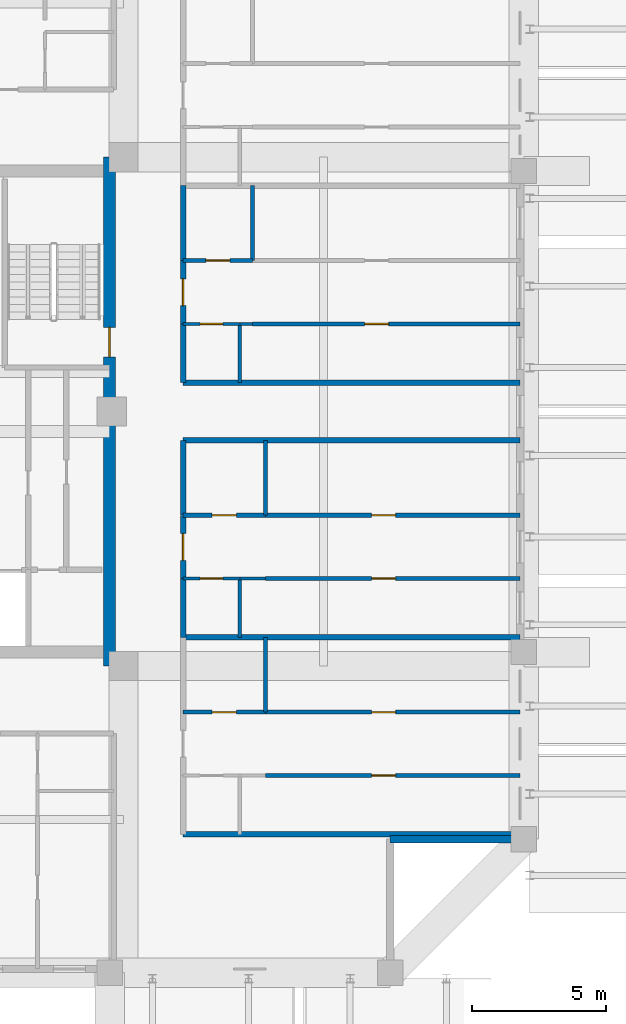
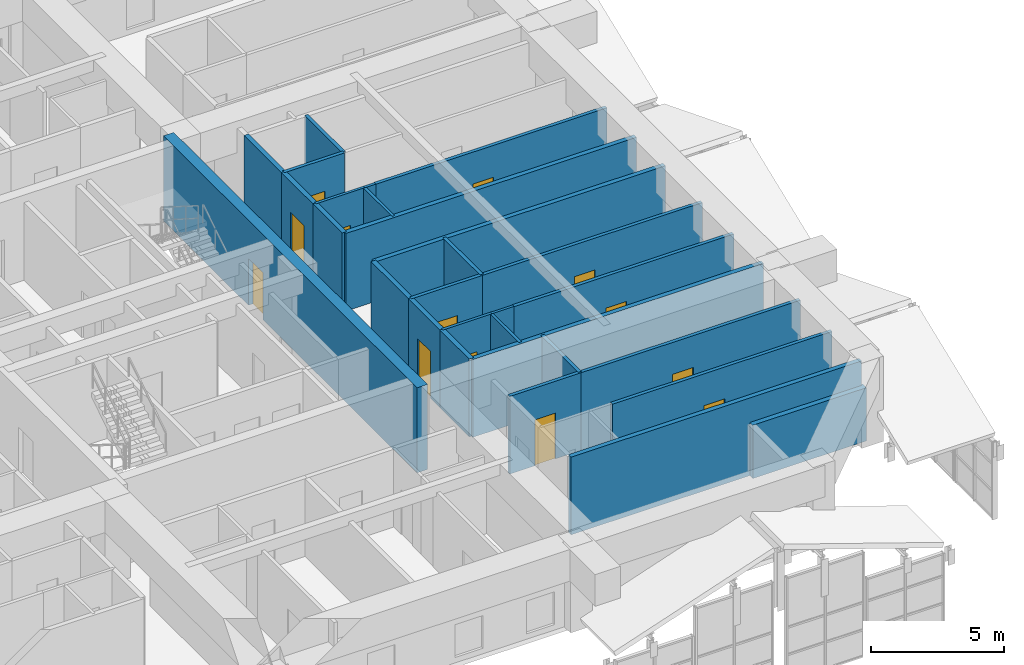
# One storey, part 40 of 45: 29 walls, 13 doors, 13 openings.
"""IFC4 building model written with IfcOpenShell, lengths in metres."""

from ifc_helpers import new_model, si_unit, direction, frame, frame_2d, origin, place, context, subcontext, project, spatial, rectangle, extrude, source, transform, mapped, material, layer, layer_set, type_object, element, fill, save


model = new_model("IFC4")

# Units and contexts
model_context = context("Model", 3, precision=1e-05, world=origin(), true_north=direction((0.0, 1.0)))
body_context = subcontext(model_context, "Body", "Model", "MODEL_VIEW")
ifc_project = project(units=[si_unit("LENGTHUNIT", "METRE"), si_unit("AREAUNIT", "SQUARE_METRE"), si_unit("VOLUMEUNIT", "CUBIC_METRE"), si_unit("PLANEANGLEUNIT", "RADIAN"), si_unit("MASSUNIT", "GRAM", prefix="KILO")], contexts=[model_context])

# Site, building, storey
site_placement = place(None, origin())
site = spatial("IfcSite", under=ifc_project, at=site_placement, CompositionType="ELEMENT")
building_placement = place(site_placement, origin())
building = spatial("IfcBuilding", under=site, at=building_placement, Name="Saelheon Loggia Tower", CompositionType="ELEMENT")
storey_placement = place(building_placement, frame((0.0, 0.0, 152.199951171875)))
storey = spatial("IfcBuildingStorey", under=building, at=storey_placement, Name="L48", CompositionType="ELEMENT", Elevation=152.199951171875)

# Wall, opening, door
ifc_material_1 = material(Name="Concrete C45/55", Category="concrete")
ifc_layer_1 = layer(ifc_material_1, 0.449951171875)
ifc_layer_set_1 = layer_set([ifc_layer_1], Name="Concrete C45/55")
wall_type_1 = type_object("IfcWallType", Name="Wall_CoreShear_450", PredefinedType="SHEAR", material=ifc_layer_set_1)
wall_1_placement = place(storey_placement, frame((44.5, 17.47998046875, 0.0), z_axis=(0.0, 0.0, 1.0), x_axis=(0.0, 1.0, 0.0)))
wall_1 = element("IfcWall", 1, at=wall_1_placement, inside=storey, type_object=wall_type_1, Name="L48 Core Shear Wall East", PredefinedType="SHEAR", context=body_context, shape_type="SweptSolid", body=[
    extrude(rectangle(XDim=19.0400390625, YDim=0.449951171875, at=frame_2d((9.52001953125, 0.0))), origin(), (0.0, 0.0, 1.0), 3.900146484375),
])
opening_1_placement = place(wall_1_placement, frame((12.670166015625, 0.0, 0.0), z_axis=(0.0, 0.0, 1.0), x_axis=(-1.0, 0.0, 0.0)))
opening_1 = element("IfcOpeningElement", 2, at=opening_1_placement, cuts=wall_1, Name="Opening D-FD2", PredefinedType="OPENING", context=body_context, shape_type="SweptSolid", body=[
    extrude(rectangle(XDim=1.10009765625, YDim=2.14990234375, at=frame_2d((0.550048828125, 1.074951171875))), frame((0.0, 0.237060546875, 0.0), z_axis=(0.0, -1.0, 0.0), x_axis=(1.0, 0.0, 0.0)), (0.0, 0.0, 1.0), 0.473876953125),
])
ifc_material_2 = material(Name="Galvanised Steel Fire Door", Category="steel")
door_type_1 = type_object("IfcDoorType", Name="Door_Fire_FD60_1100", OperationType="NOTDEFINED", PredefinedType="DOOR", material=ifc_material_2)
shared_shape_1 = source(origin(), body_context, "Body", "SweptSolid", [
    extrude(rectangle(XDim=1.10009765625, YDim=2.14990234375, at=frame_2d((0.550048828125, 1.074951171875))), frame((0.0, 0.02490234375, 0.0), z_axis=(0.0, -1.0, 0.0), x_axis=(1.0, 0.0, 0.0)), (0.0, 0.0, 1.0), 0.050048828125),
])
door_1_placement = place(opening_1_placement, origin())
door_1 = element("IfcDoor", 3, at=door_1_placement, inside=storey, type_object=door_type_1, Name="L48 Stair ST2 Corridor Door", OperationType="SINGLE_SWING_RIGHT", OverallHeight=2.14990234375, OverallWidth=1.10009765625, PredefinedType="DOOR", context=body_context, shape_type="MappedRepresentation", body=[
    mapped(shared_shape_1, transform((0.0, 0.0, 0.0), scale=1.0)),
])
fill(opening_1, door_1)

# Walls
ifc_material_3 = material(Name="Architectural Precast Concrete C40/50", Category="concrete")
ifc_layer_2 = layer(ifc_material_3, 0.280029296875)
ifc_layer_set_2 = layer_set([ifc_layer_2], Name="Architectural Precast Concrete C40/50")
wall_type_2 = type_object("IfcWallType", Name="Wall_Ext_Loggia_280", PredefinedType="SOLIDWALL", material=ifc_layer_set_2)
wall_2_placement = place(storey_placement, frame((55.0, 11.0, 0.0), z_axis=(0.0, 0.0, 1.0), x_axis=(1.0, 0.0, 0.0)))
element("IfcWall", 4, at=wall_2_placement, inside=storey, type_object=wall_type_2, Name="L48 Corner Notch Precast Wall SE2", PredefinedType="SOLIDWALL", context=body_context, shape_type="SweptSolid", body=[
    extrude(rectangle(XDim=4.919921875, YDim=0.280029296875, at=frame_2d((2.4599609375, 0.0))), origin(), (0.0, 0.0, 1.0), 2.43994140625),
])
ifc_material_4 = material(Name="Lightweight Autoclaved Aerated Concrete Block and Acoustic Gypsum", Category="concrete")
ifc_layer_3 = layer(ifc_material_4, 0.14990234375)
ifc_layer_set_3 = layer_set([ifc_layer_3], Name="Lightweight Autoclaved Aerated Concrete Block and Acoustic Gypsum")
wall_type_3 = type_object("IfcWallType", Name="Wall_Part_150", PredefinedType="PARTITIONING", material=ifc_layer_set_3)
wall_3_placement = place(storey_placement, frame((50.330078125, 15.74951171875, 0.0), z_axis=(0.0, 0.0, 1.0), x_axis=(0.0, 1.0, 0.0)))
element("IfcWall", 5, at=wall_3_placement, inside=storey, type_object=wall_type_3, Name="L48 ES Partition V07", PredefinedType="PARTITIONING", context=body_context, shape_type="SweptSolid", body=[
    extrude(rectangle(XDim=2.800537109375, YDim=0.14990234375, at=frame_2d((1.400390625, 0.0))), origin(), (0.0, 0.0, 1.0), 3.56005859375),
])

# Wall, opening, door
wall_4_placement = place(storey_placement, frame((50.330078125, 13.3798828125, 0.0), z_axis=(0.0, 0.0, 1.0), x_axis=(1.0, 0.0, 0.0)))
wall_4 = element("IfcWall", 6, at=wall_4_placement, inside=storey, type_object=wall_type_3, Name="L48 ES Partition U10", PredefinedType="PARTITIONING", context=body_context, shape_type="SweptSolid", body=[
    extrude(rectangle(XDim=9.52001953125, YDim=0.14990234375, at=frame_2d((4.760009765625, 0.0))), origin(), (0.0, 0.0, 1.0), 3.56005859375),
])
opening_2_placement = place(wall_4_placement, frame((3.970703125, 0.0, 0.0)))
opening_2 = element("IfcOpeningElement", 7, at=opening_2_placement, cuts=wall_4, Name="Opening D-IN2", PredefinedType="OPENING", context=body_context, shape_type="SweptSolid", body=[
    extrude(rectangle(XDim=0.89990234375, YDim=2.10009765625, at=frame_2d((0.449951171875, 1.050048828125))), frame((0.0, 0.0869140625, 0.0), z_axis=(0.0, -1.0, 0.0), x_axis=(1.0, 0.0, 0.0)), (0.0, 0.0, 1.0), 0.173828125),
])
ifc_material_5 = material(Name="Engineered Oak Flush Door", Category="timber")
door_type_2 = type_object("IfcDoorType", Name="Door_Int_900", OperationType="NOTDEFINED", PredefinedType="DOOR", material=ifc_material_5)
shared_shape_2 = source(origin(), body_context, "Body", "SweptSolid", [
    extrude(rectangle(XDim=0.89990234375, YDim=2.10009765625, at=frame_2d((0.449951171875, 1.050048828125))), frame((0.0, 0.02490234375, 0.0), z_axis=(0.0, -1.0, 0.0), x_axis=(1.0, 0.0, 0.0)), (0.0, 0.0, 1.0), 0.050048828125),
])
door_2_placement = place(opening_2_placement, origin())
door_2 = element("IfcDoor", 8, at=door_2_placement, inside=storey, type_object=door_type_2, Name="Unit U09 Kitchen Door", OperationType="SINGLE_SWING_RIGHT", OverallHeight=2.10009765625, OverallWidth=0.89990234375, PredefinedType="DOOR", context=body_context, shape_type="MappedRepresentation", body=[
    mapped(shared_shape_2, transform((0.0, 0.0, 0.0), scale=1.0)),
])
fill(opening_2, door_2)

wall_5_placement = place(storey_placement, frame((47.25, 15.74951171875, 0.0), z_axis=(0.0, 0.0, 1.0), x_axis=(1.0, 0.0, 0.0)))
wall_5 = element("IfcWall", 9, at=wall_5_placement, inside=storey, type_object=wall_type_3, Name="L48 ES Partition U11", PredefinedType="PARTITIONING", context=body_context, shape_type="SweptSolid", body=[
    extrude(rectangle(XDim=3.080078125, YDim=0.14990234375, at=frame_2d((1.5400390625, 0.0))), origin(), (0.0, 0.0, 1.0), 3.56005859375),
])
opening_3_placement = place(wall_5_placement, frame((1.090087890625, 0.0, 0.0)))
opening_3 = element("IfcOpeningElement", 10, at=opening_3_placement, cuts=wall_5, Name="Opening D-IN2", PredefinedType="OPENING", context=body_context, shape_type="SweptSolid", body=[
    extrude(rectangle(XDim=0.89990234375, YDim=2.10009765625, at=frame_2d((0.449951171875, 1.050048828125))), frame((0.0, 0.0869140625, 0.0), z_axis=(0.0, -1.0, 0.0), x_axis=(1.0, 0.0, 0.0)), (0.0, 0.0, 1.0), 0.173828125),
])
door_3_placement = place(opening_3_placement, origin())
door_3 = element("IfcDoor", 11, at=door_3_placement, inside=storey, type_object=door_type_2, Name="Unit U09 Dressing Closet Door", OperationType="SINGLE_SWING_LEFT", OverallHeight=2.10009765625, OverallWidth=0.89990234375, PredefinedType="DOOR", context=body_context, shape_type="MappedRepresentation", body=[
    mapped(shared_shape_2, transform((0.0, 0.0, 0.0), scale=1.0)),
])
fill(opening_3, door_3)

wall_6_placement = place(storey_placement, frame((50.330078125, 15.74951171875, 0.0), z_axis=(0.0, 0.0, 1.0), x_axis=(1.0, 0.0, 0.0)))
wall_6 = element("IfcWall", 12, at=wall_6_placement, inside=storey, type_object=wall_type_3, Name="L48 ES Partition U12", PredefinedType="PARTITIONING", context=body_context, shape_type="SweptSolid", body=[
    extrude(rectangle(XDim=9.52001953125, YDim=0.14990234375, at=frame_2d((4.760009765625, 0.0))), origin(), (0.0, 0.0, 1.0), 3.56005859375),
])
opening_4_placement = place(wall_6_placement, frame((3.970703125, 0.0, 0.0)))
opening_4 = element("IfcOpeningElement", 13, at=opening_4_placement, cuts=wall_6, Name="Opening D-IN2", PredefinedType="OPENING", context=body_context, shape_type="SweptSolid", body=[
    extrude(rectangle(XDim=0.89990234375, YDim=2.10009765625, at=frame_2d((0.449951171875, 1.050048828125))), frame((0.0, 0.0869140625, 0.0), z_axis=(0.0, -1.0, 0.0), x_axis=(1.0, 0.0, 0.0)), (0.0, 0.0, 1.0), 0.173828125),
])
door_4_placement = place(opening_4_placement, origin())
door_4 = element("IfcDoor", 14, at=door_4_placement, inside=storey, type_object=door_type_2, Name="Unit U09 Bedroom 1 Door", OperationType="SINGLE_SWING_RIGHT", OverallHeight=2.10009765625, OverallWidth=0.89990234375, PredefinedType="DOOR", context=body_context, shape_type="MappedRepresentation", body=[
    mapped(shared_shape_2, transform((0.0, 0.0, 0.0), scale=1.0)),
])
fill(opening_4, door_4)

# Wall
wall_7_placement = place(storey_placement, frame((50.330078125, 23.119384765625, 0.0), z_axis=(0.0, 0.0, 1.0), x_axis=(0.0, 1.0, 0.0)))
element("IfcWall", 15, at=wall_7_placement, inside=storey, type_object=wall_type_3, Name="L48 ES Partition V18", PredefinedType="PARTITIONING", context=body_context, shape_type="SweptSolid", body=[
    extrude(rectangle(XDim=2.800537109375, YDim=0.14990234375, at=frame_2d((1.400390625, 0.0))), origin(), (0.0, 0.0, 1.0), 3.56005859375),
])

# Wall, opening, door
wall_8_placement = place(storey_placement, frame((50.330078125, 20.75, 0.0), z_axis=(0.0, 0.0, 1.0), x_axis=(1.0, 0.0, 0.0)))
wall_8 = element("IfcWall", 16, at=wall_8_placement, inside=storey, type_object=wall_type_3, Name="L48 ES Partition U21", PredefinedType="PARTITIONING", context=body_context, shape_type="SweptSolid", body=[
    extrude(rectangle(XDim=9.52001953125, YDim=0.14990234375, at=frame_2d((4.760009765625, 0.0))), origin(), (0.0, 0.0, 1.0), 3.56005859375),
])
opening_5_placement = place(wall_8_placement, frame((3.970703125, 0.0, 0.0)))
opening_5 = element("IfcOpeningElement", 17, at=opening_5_placement, cuts=wall_8, Name="Opening D-IN2", PredefinedType="OPENING", context=body_context, shape_type="SweptSolid", body=[
    extrude(rectangle(XDim=0.89990234375, YDim=2.10009765625, at=frame_2d((0.449951171875, 1.050048828125))), frame((0.0, 0.0869140625, 0.0), z_axis=(0.0, -1.0, 0.0), x_axis=(1.0, 0.0, 0.0)), (0.0, 0.0, 1.0), 0.173828125),
])
door_5_placement = place(opening_5_placement, origin())
door_5 = element("IfcDoor", 18, at=door_5_placement, inside=storey, type_object=door_type_2, Name="Unit U10 Kitchen Door", OperationType="SINGLE_SWING_LEFT", OverallHeight=2.10009765625, OverallWidth=0.89990234375, PredefinedType="DOOR", context=body_context, shape_type="MappedRepresentation", body=[
    mapped(shared_shape_2, transform((0.0, 0.0, 0.0), scale=1.0)),
])
fill(opening_5, door_5)

wall_9_placement = place(storey_placement, frame((47.25, 23.119384765625, 0.0), z_axis=(0.0, 0.0, 1.0), x_axis=(1.0, 0.0, 0.0)))
wall_9 = element("IfcWall", 19, at=wall_9_placement, inside=storey, type_object=wall_type_3, Name="L48 ES Partition U22", PredefinedType="PARTITIONING", context=body_context, shape_type="SweptSolid", body=[
    extrude(rectangle(XDim=3.080078125, YDim=0.14990234375, at=frame_2d((1.5400390625, 0.0))), origin(), (0.0, 0.0, 1.0), 3.56005859375),
])
opening_6_placement = place(wall_9_placement, frame((1.090087890625, 0.0, 0.0)))
opening_6 = element("IfcOpeningElement", 20, at=opening_6_placement, cuts=wall_9, Name="Opening D-IN2", PredefinedType="OPENING", context=body_context, shape_type="SweptSolid", body=[
    extrude(rectangle(XDim=0.89990234375, YDim=2.10009765625, at=frame_2d((0.449951171875, 1.050048828125))), frame((0.0, 0.0869140625, 0.0), z_axis=(0.0, -1.0, 0.0), x_axis=(1.0, 0.0, 0.0)), (0.0, 0.0, 1.0), 0.173828125),
])
door_6_placement = place(opening_6_placement, origin())
door_6 = element("IfcDoor", 21, at=door_6_placement, inside=storey, type_object=door_type_2, Name="Unit U10 Dressing Closet Door", OperationType="SINGLE_SWING_RIGHT", OverallHeight=2.10009765625, OverallWidth=0.89990234375, PredefinedType="DOOR", context=body_context, shape_type="MappedRepresentation", body=[
    mapped(shared_shape_2, transform((0.0, 0.0, 0.0), scale=1.0)),
])
fill(opening_6, door_6)

wall_10_placement = place(storey_placement, frame((50.330078125, 23.119384765625, 0.0), z_axis=(0.0, 0.0, 1.0), x_axis=(1.0, 0.0, 0.0)))
wall_10 = element("IfcWall", 22, at=wall_10_placement, inside=storey, type_object=wall_type_3, Name="L48 ES Partition U23", PredefinedType="PARTITIONING", context=body_context, shape_type="SweptSolid", body=[
    extrude(rectangle(XDim=9.52001953125, YDim=0.14990234375, at=frame_2d((4.760009765625, 0.0))), origin(), (0.0, 0.0, 1.0), 3.56005859375),
])
opening_7_placement = place(wall_10_placement, frame((3.970703125, 0.0, 0.0)))
opening_7 = element("IfcOpeningElement", 23, at=opening_7_placement, cuts=wall_10, Name="Opening D-IN2", PredefinedType="OPENING", context=body_context, shape_type="SweptSolid", body=[
    extrude(rectangle(XDim=0.89990234375, YDim=2.10009765625, at=frame_2d((0.449951171875, 1.050048828125))), frame((0.0, 0.0869140625, 0.0), z_axis=(0.0, -1.0, 0.0), x_axis=(1.0, 0.0, 0.0)), (0.0, 0.0, 1.0), 0.173828125),
])
door_7_placement = place(opening_7_placement, origin())
door_7 = element("IfcDoor", 24, at=door_7_placement, inside=storey, type_object=door_type_2, Name="Unit U10 Bedroom 1 Door", OperationType="SINGLE_SWING_LEFT", OverallHeight=2.10009765625, OverallWidth=0.89990234375, PredefinedType="DOOR", context=body_context, shape_type="MappedRepresentation", body=[
    mapped(shared_shape_2, transform((0.0, 0.0, 0.0), scale=1.0)),
])
fill(opening_7, door_7)

# Wall
wall_11_placement = place(storey_placement, frame((49.85009765625, 32.6494140625, 0.0), z_axis=(0.0, 0.0, 1.0), x_axis=(0.0, 1.0, 0.0)))
element("IfcWall", 25, at=wall_11_placement, inside=storey, type_object=wall_type_3, Name="L48 EN Partition V07", PredefinedType="PARTITIONING", context=body_context, shape_type="SweptSolid", body=[
    extrude(rectangle(XDim=2.800537109375, YDim=0.14990234375, at=frame_2d((1.400390625, 0.0))), origin(), (0.0, 0.0, 1.0), 3.56005859375),
])

# Wall, opening, door
wall_12_placement = place(storey_placement, frame((49.85009765625, 30.280029296875, 0.0), z_axis=(0.0, 0.0, 1.0), x_axis=(1.0, 0.0, 0.0)))
wall_12 = element("IfcWall", 26, at=wall_12_placement, inside=storey, type_object=wall_type_3, Name="L48 EN Partition U10", PredefinedType="PARTITIONING", context=body_context, shape_type="SweptSolid", body=[
    extrude(rectangle(XDim=10.0, YDim=0.14990234375, at=frame_2d((5.0, 0.0))), origin(), (0.0, 0.0, 1.0), 3.56005859375),
])
opening_8_placement = place(wall_12_placement, frame((4.19091796875, 0.0, 0.0)))
opening_8 = element("IfcOpeningElement", 27, at=opening_8_placement, cuts=wall_12, Name="Opening D-IN2", PredefinedType="OPENING", context=body_context, shape_type="SweptSolid", body=[
    extrude(rectangle(XDim=0.89990234375, YDim=2.10009765625, at=frame_2d((0.449951171875, 1.050048828125))), frame((0.0, 0.0869140625, 0.0), z_axis=(0.0, -1.0, 0.0), x_axis=(1.0, 0.0, 0.0)), (0.0, 0.0, 1.0), 0.173828125),
])
door_8_placement = place(opening_8_placement, origin())
door_8 = element("IfcDoor", 28, at=door_8_placement, inside=storey, type_object=door_type_2, Name="Unit U11 Kitchen Door", OperationType="SINGLE_SWING_RIGHT", OverallHeight=2.10009765625, OverallWidth=0.89990234375, PredefinedType="DOOR", context=body_context, shape_type="MappedRepresentation", body=[
    mapped(shared_shape_2, transform((0.0, 0.0, 0.0), scale=1.0)),
])
fill(opening_8, door_8)

wall_13_placement = place(storey_placement, frame((47.25, 32.6494140625, 0.0), z_axis=(0.0, 0.0, 1.0), x_axis=(1.0, 0.0, 0.0)))
wall_13 = element("IfcWall", 29, at=wall_13_placement, inside=storey, type_object=wall_type_3, Name="L48 EN Partition U11", PredefinedType="PARTITIONING", context=body_context, shape_type="SweptSolid", body=[
    extrude(rectangle(XDim=2.60009765625, YDim=0.14990234375, at=frame_2d((1.300048828125, 0.0))), origin(), (0.0, 0.0, 1.0), 3.56005859375),
])
opening_9_placement = place(wall_13_placement, frame((0.85009765625, 0.0, 0.0)))
opening_9 = element("IfcOpeningElement", 30, at=opening_9_placement, cuts=wall_13, Name="Opening D-IN2", PredefinedType="OPENING", context=body_context, shape_type="SweptSolid", body=[
    extrude(rectangle(XDim=0.89990234375, YDim=2.10009765625, at=frame_2d((0.449951171875, 1.050048828125))), frame((0.0, 0.0869140625, 0.0), z_axis=(0.0, -1.0, 0.0), x_axis=(1.0, 0.0, 0.0)), (0.0, 0.0, 1.0), 0.173828125),
])
door_9_placement = place(opening_9_placement, origin())
door_9 = element("IfcDoor", 31, at=door_9_placement, inside=storey, type_object=door_type_2, Name="Unit U11 Dressing Closet Door", OperationType="SINGLE_SWING_LEFT", OverallHeight=2.10009765625, OverallWidth=0.89990234375, PredefinedType="DOOR", context=body_context, shape_type="MappedRepresentation", body=[
    mapped(shared_shape_2, transform((0.0, 0.0, 0.0), scale=1.0)),
])
fill(opening_9, door_9)

# Walls
ifc_material_6 = material(Name="Double Acoustic Stud and Fireboard Partition", Category="gypsum")
ifc_layer_4 = layer(ifc_material_6, 0.199951171875)
ifc_layer_set_4 = layer_set([ifc_layer_4], Name="Double Acoustic Stud and Fireboard Partition")
wall_type_4 = type_object("IfcWallType", Name="Wall_Party_200", PredefinedType="PARTITIONING", material=ifc_layer_set_4)
for number, where, z_axis, x_axis, name in (
    (32, (47.25, 11.179931640625, 0.0), (0.0, 0.0, 1.0), (1.0, 0.0, 0.0), "L48 ES Partition U01"),
    (33, (47.25, 25.919921875, 0.0), (0.0, 0.0, 1.0), (1.0, 0.0, 0.0), "L48 ES Partition U02"),
    (34, (47.25, 18.550048828125, 0.0), (0.0, 0.0, 1.0), (1.0, 0.0, 0.0), "L48 ES Partition U13"),
):
    element("IfcWall", number, at=place(storey_placement, frame(where, z_axis=z_axis, x_axis=x_axis)), inside=storey, type_object=wall_type_4, Name=name, PredefinedType="PARTITIONING", context=body_context, shape_type="SweptSolid", body=[
        extrude(rectangle(XDim=12.60009765625, YDim=0.199951171875, at=frame_2d((6.300048828125, 0.0))), origin(), (0.0, 0.0, 1.0), 3.56005859375),
    ])
wall_14_placement = place(storey_placement, frame((47.25, 18.550048828125, 0.0), z_axis=(0.0, 0.0, 1.0), x_axis=(0.0, 1.0, 0.0)))
element("IfcWall", 35, at=wall_14_placement, inside=storey, type_object=wall_type_4, Name="L48 ES Partition V14", PredefinedType="PARTITIONING", context=body_context, shape_type="SweptSolid", body=[
    extrude(rectangle(XDim=2.199951171875, YDim=0.199951171875, at=frame_2d((1.10009765625, 0.0))), origin(), (0.0, 0.0, 1.0), 3.56005859375),
])

# Wall, opening, door
wall_15_placement = place(storey_placement, frame((47.25, 20.75, 0.0), z_axis=(0.0, 0.0, 1.0), x_axis=(0.0, 1.0, 0.0)))
wall_15 = element("IfcWall", 36, at=wall_15_placement, inside=storey, type_object=wall_type_4, Name="L48 ES Partition V15", PredefinedType="PARTITIONING", context=body_context, shape_type="SweptSolid", body=[
    extrude(rectangle(XDim=2.369384765625, YDim=0.199951171875, at=frame_2d((1.1845703125, 0.0))), origin(), (0.0, 0.0, 1.0), 3.56005859375),
])
opening_10_placement = place(wall_15_placement, frame((0.684814453125, 0.0, 0.0)))
opening_10 = element("IfcOpeningElement", 37, at=opening_10_placement, cuts=wall_15, Name="Opening D-FD1", PredefinedType="OPENING", context=body_context, shape_type="SweptSolid", body=[
    extrude(rectangle(XDim=1.0, YDim=2.14990234375, at=frame_2d((0.5, 1.074951171875))), frame((0.0, 0.112060546875, 0.0), z_axis=(0.0, -1.0, 0.0), x_axis=(1.0, 0.0, 0.0)), (0.0, 0.0, 1.0), 0.223876953125),
])
ifc_material_7 = material(Name="Fire-Rated Engineered Timber Entrance Door", Category="wood")
door_type_3 = type_object("IfcDoorType", Name="Door_Flat_FD30S", OperationType="NOTDEFINED", PredefinedType="DOOR", material=ifc_material_7)
shared_shape_3 = source(origin(), body_context, "Body", "SweptSolid", [
    extrude(rectangle(XDim=1.0, YDim=2.14990234375, at=frame_2d((0.5, 1.074951171875))), frame((0.0, 0.02490234375, 0.0), z_axis=(0.0, -1.0, 0.0), x_axis=(1.0, 0.0, 0.0)), (0.0, 0.0, 1.0), 0.050048828125),
])
door_10_placement = place(opening_10_placement, origin())
door_10 = element("IfcDoor", 38, at=door_10_placement, inside=storey, type_object=door_type_3, Name="Unit U10 Entrance Door", OperationType="SINGLE_SWING_LEFT", OverallHeight=2.14990234375, OverallWidth=1.0, PredefinedType="DOOR", context=body_context, shape_type="MappedRepresentation", body=[
    mapped(shared_shape_3, transform((0.0, 0.0, 0.0), scale=1.0)),
])
fill(opening_10, door_10)

# Walls
wall_16_placement = place(storey_placement, frame((47.25, 23.119384765625, 0.0), z_axis=(0.0, 0.0, 1.0), x_axis=(0.0, 1.0, 0.0)))
element("IfcWall", 39, at=wall_16_placement, inside=storey, type_object=wall_type_4, Name="L48 ES Partition V16", PredefinedType="PARTITIONING", context=body_context, shape_type="SweptSolid", body=[
    extrude(rectangle(XDim=2.800537109375, YDim=0.199951171875, at=frame_2d((1.400390625, 0.0))), origin(), (0.0, 0.0, 1.0), 3.56005859375),
])
wall_17_placement = place(storey_placement, frame((47.25, 28.080078125, 0.0), z_axis=(0.0, 0.0, 1.0), x_axis=(1.0, 0.0, 0.0)))
element("IfcWall", 40, at=wall_17_placement, inside=storey, type_object=wall_type_4, Name="L48 EN Partition U01", PredefinedType="PARTITIONING", context=body_context, shape_type="SweptSolid", body=[
    extrude(rectangle(XDim=12.60009765625, YDim=0.199951171875, at=frame_2d((6.300048828125, 0.0))), origin(), (0.0, 0.0, 1.0), 3.56005859375),
])
wall_18_placement = place(storey_placement, frame((47.25, 28.080078125, 0.0), z_axis=(0.0, 0.0, 1.0), x_axis=(0.0, 1.0, 0.0)))
element("IfcWall", 41, at=wall_18_placement, inside=storey, type_object=wall_type_4, Name="L48 EN Partition V03", PredefinedType="PARTITIONING", context=body_context, shape_type="SweptSolid", body=[
    extrude(rectangle(XDim=2.199951171875, YDim=0.199951171875, at=frame_2d((1.10009765625, 0.0))), origin(), (0.0, 0.0, 1.0), 3.56005859375),
])

# Wall, opening, door
wall_19_placement = place(storey_placement, frame((47.25, 30.280029296875, 0.0), z_axis=(0.0, 0.0, 1.0), x_axis=(0.0, 1.0, 0.0)))
wall_19 = element("IfcWall", 42, at=wall_19_placement, inside=storey, type_object=wall_type_4, Name="L48 EN Partition V04", PredefinedType="PARTITIONING", context=body_context, shape_type="SweptSolid", body=[
    extrude(rectangle(XDim=2.369384765625, YDim=0.199951171875, at=frame_2d((1.1845703125, 0.0))), origin(), (0.0, 0.0, 1.0), 3.56005859375),
])
opening_11_placement = place(wall_19_placement, frame((0.684814453125, 0.0, 0.0)))
opening_11 = element("IfcOpeningElement", 43, at=opening_11_placement, cuts=wall_19, Name="Opening D-FD1", PredefinedType="OPENING", context=body_context, shape_type="SweptSolid", body=[
    extrude(rectangle(XDim=1.0, YDim=2.14990234375, at=frame_2d((0.5, 1.074951171875))), frame((0.0, 0.112060546875, 0.0), z_axis=(0.0, -1.0, 0.0), x_axis=(1.0, 0.0, 0.0)), (0.0, 0.0, 1.0), 0.223876953125),
])
door_11_placement = place(opening_11_placement, origin())
door_11 = element("IfcDoor", 44, at=door_11_placement, inside=storey, type_object=door_type_3, Name="Unit U11 Entrance Door", OperationType="SINGLE_SWING_RIGHT", OverallHeight=2.14990234375, OverallWidth=1.0, PredefinedType="DOOR", context=body_context, shape_type="MappedRepresentation", body=[
    mapped(shared_shape_3, transform((0.0, 0.0, 0.0), scale=1.0)),
])
fill(opening_11, door_11)

# Walls
wall_20_placement = place(storey_placement, frame((47.25, 32.6494140625, 0.0), z_axis=(0.0, 0.0, 1.0), x_axis=(0.0, 1.0, 0.0)))
element("IfcWall", 45, at=wall_20_placement, inside=storey, type_object=wall_type_4, Name="L48 EN Partition V05", PredefinedType="PARTITIONING", context=body_context, shape_type="SweptSolid", body=[
    extrude(rectangle(XDim=2.800537109375, YDim=0.199951171875, at=frame_2d((1.400390625, 0.0))), origin(), (0.0, 0.0, 1.0), 3.56005859375),
])
ifc_material_8 = material(Name="Moisture-Resistant Cement Board Partition", Category="gypsum")
ifc_layer_5 = layer(ifc_material_8, 0.1201171875)
ifc_layer_set_5 = layer_set([ifc_layer_5], Name="Moisture-Resistant Cement Board Partition")
wall_type_5 = type_object("IfcWallType", Name="Wall_WetPart_120", PredefinedType="PARTITIONING", material=ifc_layer_set_5)
wall_21_placement = place(storey_placement, frame((49.3701171875, 18.550048828125, 0.0), z_axis=(0.0, 0.0, 1.0), x_axis=(0.0, 1.0, 0.0)))
element("IfcWall", 46, at=wall_21_placement, inside=storey, type_object=wall_type_5, Name="L48 ES Partition V17", PredefinedType="PARTITIONING", context=body_context, shape_type="SweptSolid", body=[
    extrude(rectangle(XDim=2.199951171875, YDim=0.1201171875, at=frame_2d((1.10009765625, 0.0))), origin(), (0.0, 0.0, 1.0), 3.56005859375),
])

# Wall, opening, door
wall_22_placement = place(storey_placement, frame((47.25, 20.75, 0.0), z_axis=(0.0, 0.0, 1.0), x_axis=(1.0, 0.0, 0.0)))
wall_22 = element("IfcWall", 47, at=wall_22_placement, inside=storey, type_object=wall_type_5, Name="L48 ES Partition U19", PredefinedType="PARTITIONING", context=body_context, shape_type="SweptSolid", body=[
    extrude(rectangle(XDim=2.1201171875, YDim=0.1201171875, at=frame_2d((1.06005859375, 0.0))), origin(), (0.0, 0.0, 1.0), 3.56005859375),
])
opening_12_placement = place(wall_22_placement, frame((0.635009765625, 0.0, 0.0)))
opening_12 = element("IfcOpeningElement", 48, at=opening_12_placement, cuts=wall_22, Name="Opening D-BT1", PredefinedType="OPENING", context=body_context, shape_type="SweptSolid", body=[
    extrude(rectangle(XDim=0.85009765625, YDim=2.050048828125, at=frame_2d((0.425048828125, 1.02490234375))), frame((0.0, 0.072021484375, 0.0), z_axis=(0.0, -1.0, 0.0), x_axis=(1.0, 0.0, 0.0)), (0.0, 0.0, 1.0), 0.14404296875),
])
ifc_material_9 = material(Name="Moisture-Resistant Laminate Timber Door", Category="wood")
door_type_4 = type_object("IfcDoorType", Name="Door_Bath_850", OperationType="NOTDEFINED", PredefinedType="DOOR", material=ifc_material_9)
shared_shape_4 = source(origin(), body_context, "Body", "SweptSolid", [
    extrude(rectangle(XDim=0.85009765625, YDim=2.050048828125, at=frame_2d((0.425048828125, 1.02490234375))), frame((0.0, 0.02490234375, 0.0), z_axis=(0.0, -1.0, 0.0), x_axis=(1.0, 0.0, 0.0)), (0.0, 0.0, 1.0), 0.050048828125),
])
door_12_placement = place(opening_12_placement, origin())
door_12 = element("IfcDoor", 49, at=door_12_placement, inside=storey, type_object=door_type_4, Name="Unit U10 Bathroom Door", OperationType="SINGLE_SWING_RIGHT", OverallHeight=2.050048828125, OverallWidth=0.85009765625, PredefinedType="DOOR", context=body_context, shape_type="MappedRepresentation", body=[
    mapped(shared_shape_4, transform((0.0, 0.0, 0.0), scale=1.0)),
])
fill(opening_12, door_12)

# Walls
wall_23_placement = place(storey_placement, frame((49.3701171875, 20.75, 0.0), z_axis=(0.0, 0.0, 1.0), x_axis=(1.0, 0.0, 0.0)))
element("IfcWall", 50, at=wall_23_placement, inside=storey, type_object=wall_type_5, Name="L48 ES Partition U20", PredefinedType="PARTITIONING", context=body_context, shape_type="SweptSolid", body=[
    extrude(rectangle(XDim=0.9599609375, YDim=0.1201171875, at=frame_2d((0.47998046875, 0.0))), origin(), (0.0, 0.0, 1.0), 3.56005859375),
])
wall_24_placement = place(storey_placement, frame((49.3701171875, 28.080078125, 0.0), z_axis=(0.0, 0.0, 1.0), x_axis=(0.0, 1.0, 0.0)))
element("IfcWall", 51, at=wall_24_placement, inside=storey, type_object=wall_type_5, Name="L48 EN Partition V06", PredefinedType="PARTITIONING", context=body_context, shape_type="SweptSolid", body=[
    extrude(rectangle(XDim=2.199951171875, YDim=0.1201171875, at=frame_2d((1.10009765625, 0.0))), origin(), (0.0, 0.0, 1.0), 3.56005859375),
])

# Wall, opening, door
wall_25_placement = place(storey_placement, frame((47.25, 30.280029296875, 0.0), z_axis=(0.0, 0.0, 1.0), x_axis=(1.0, 0.0, 0.0)))
wall_25 = element("IfcWall", 52, at=wall_25_placement, inside=storey, type_object=wall_type_5, Name="L48 EN Partition U08", PredefinedType="PARTITIONING", context=body_context, shape_type="SweptSolid", body=[
    extrude(rectangle(XDim=2.1201171875, YDim=0.1201171875, at=frame_2d((1.06005859375, 0.0))), origin(), (0.0, 0.0, 1.0), 3.56005859375),
])
opening_13_placement = place(wall_25_placement, frame((0.635009765625, 0.0, 0.0)))
opening_13 = element("IfcOpeningElement", 53, at=opening_13_placement, cuts=wall_25, Name="Opening D-BT1", PredefinedType="OPENING", context=body_context, shape_type="SweptSolid", body=[
    extrude(rectangle(XDim=0.85009765625, YDim=2.050048828125, at=frame_2d((0.425048828125, 1.02490234375))), frame((0.0, 0.072021484375, 0.0), z_axis=(0.0, -1.0, 0.0), x_axis=(1.0, 0.0, 0.0)), (0.0, 0.0, 1.0), 0.14404296875),
])
door_13_placement = place(opening_13_placement, origin())
door_13 = element("IfcDoor", 54, at=door_13_placement, inside=storey, type_object=door_type_4, Name="Unit U11 Bathroom Door", OperationType="SINGLE_SWING_LEFT", OverallHeight=2.050048828125, OverallWidth=0.85009765625, PredefinedType="DOOR", context=body_context, shape_type="MappedRepresentation", body=[
    mapped(shared_shape_4, transform((0.0, 0.0, 0.0), scale=1.0)),
])
fill(opening_13, door_13)

# Wall
wall_26_placement = place(storey_placement, frame((49.3701171875, 30.280029296875, 0.0), z_axis=(0.0, 0.0, 1.0), x_axis=(1.0, 0.0, 0.0)))
element("IfcWall", 55, at=wall_26_placement, inside=storey, type_object=wall_type_5, Name="L48 EN Partition U09", PredefinedType="PARTITIONING", context=body_context, shape_type="SweptSolid", body=[
    extrude(rectangle(XDim=0.47998046875, YDim=0.1201171875, at=frame_2d((0.239990234375, 0.0))), origin(), (0.0, 0.0, 1.0), 3.56005859375),
])

save(model, "model.ifc")
